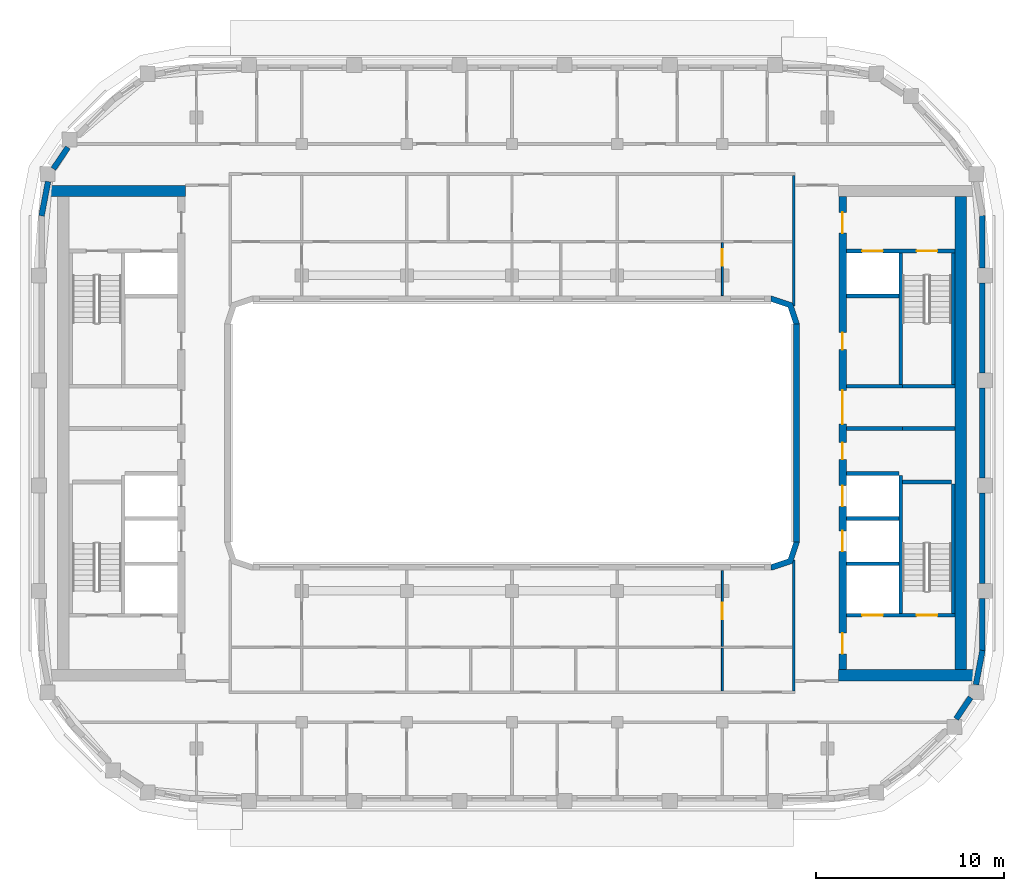
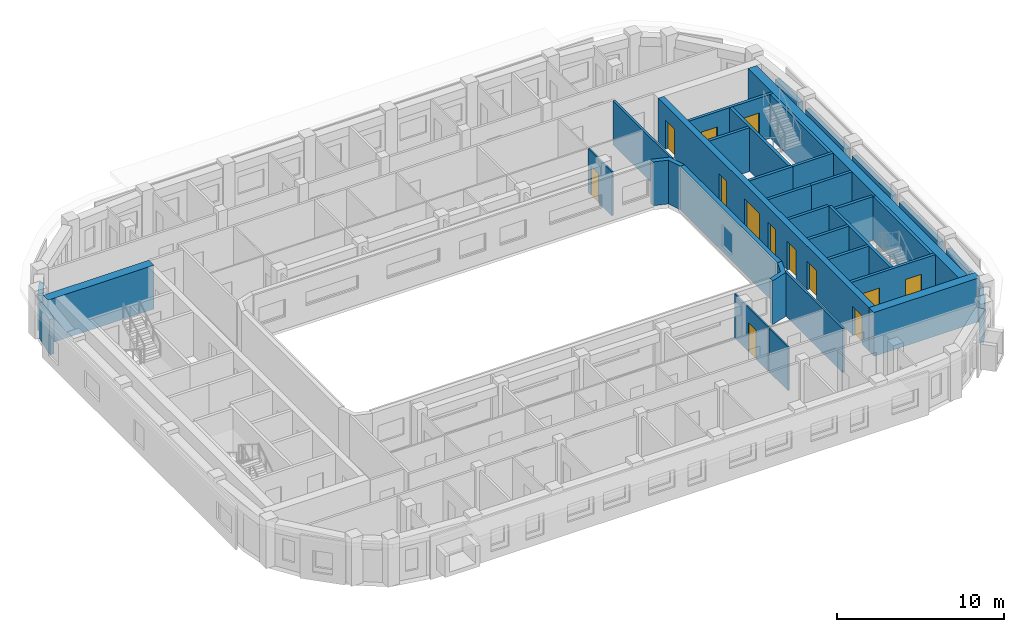
# One storey, part 6 of 16: 36 walls, 13 doors, 13 openings.
"""IFC4 building model written with IfcOpenShell, lengths in metres."""

from ifc_helpers import new_model, si_unit, direction, frame, frame_2d, origin, place, context, subcontext, project, spatial, polyline, rectangle, outline, extrude, material, layer, layer_set, type_object, element, fill, save


model = new_model("IFC4")

# Units and contexts
model_context = context("Model", 3, precision=1e-05, world=origin(), true_north=direction((0.0, 1.0)))
body_context = subcontext(model_context, "Body", "Model", "MODEL_VIEW")
ifc_project = project(units=[si_unit("LENGTHUNIT", "METRE"), si_unit("AREAUNIT", "SQUARE_METRE"), si_unit("VOLUMEUNIT", "CUBIC_METRE"), si_unit("PLANEANGLEUNIT", "RADIAN"), si_unit("MASSUNIT", "GRAM", prefix="KILO")], contexts=[model_context])

# Site, building, storey
site_placement = place(None, origin())
site = spatial("IfcSite", under=ifc_project, at=site_placement, CompositionType="ELEMENT")
building_placement = place(site_placement, origin())
building = spatial("IfcBuilding", under=site, at=building_placement, Name="Kiln Ring Residences", CompositionType="ELEMENT")
storey_placement = place(building_placement, frame((0.0, 0.0, 255.699951171875)))
storey = spatial("IfcBuildingStorey", under=building, at=storey_placement, Name="L66", CompositionType="ELEMENT", Elevation=255.699951171875)

# Walls
ifc_material_1 = material(Name="Gypsum board on steel studs", Category="steel")
ifc_layer_1 = layer(ifc_material_1, 0.199951171875)
ifc_layer_set_1 = layer_set([ifc_layer_1], Name="CORE-PARTITION-200")
wall_type_1 = type_object("IfcWallType", Name="CORE-PARTITION-200", PredefinedType="PARTITIONING", material=ifc_layer_set_1)
wall_1_placement = place(storey_placement, frame((20.800048828125, 0.25, 0.0), z_axis=(0.0, 0.0, 1.0), x_axis=(1.0, 0.0, 0.0)))
element("IfcWall", 1, at=wall_1_placement, inside=storey, type_object=wall_type_1, Name="Core partition east L66 1", PredefinedType="PARTITIONING", context=body_context, shape_type="SweptSolid", body=[
    extrude(rectangle(XDim=2.800048828125, YDim=0.199951171875, at=frame_2d((1.39990234375, 0.0))), origin(), (0.0, 0.0, 1.0), 3.199951171875),
])
ifc_material_2 = material(Name="Gypsum shaft wall system")
ifc_layer_2 = layer(ifc_material_2, 0.199951171875)
ifc_layer_set_2 = layer_set([ifc_layer_2], Name="CORE-SHAFT-WALL-200")
wall_type_2 = type_object("IfcWallType", Name="CORE-SHAFT-WALL-200", PredefinedType="PARTITIONING", material=ifc_layer_set_2)
for number, where, z_axis, x_axis, name in (
    (2, (17.800048828125, -6.949951171875, 0.0), (0.0, 0.0, 1.0), (1.0, 0.0, 0.0), "Core partition east L66 2"),
    (3, (17.800048828125, -4.550048828125, 0.0), (0.0, 0.0, 1.0), (1.0, 0.0, 0.0), "Core partition east L66 3"),
    (4, (17.800048828125, -2.14990234375, 0.0), (0.0, 0.0, 1.0), (1.0, 0.0, 0.0), "Core partition east L66 4"),
):
    element("IfcWall", number, at=place(storey_placement, frame(where, z_axis=z_axis, x_axis=x_axis)), inside=storey, type_object=wall_type_2, Name=name, PredefinedType="PARTITIONING", context=body_context, shape_type="SweptSolid", body=[
        extrude(rectangle(XDim=2.800048828125, YDim=0.199951171875, at=frame_2d((1.39990234375, 0.0))), origin(), (0.0, 0.0, 1.0), 3.199951171875),
    ])
for number, where, z_axis, x_axis, name in (
    (5, (17.800048828125, 0.25, 0.0), (0.0, 0.0, 1.0), (1.0, 0.0, 0.0), "Core partition east L66 5"),
    (6, (17.800048828125, 2.5, 0.0), (0.0, 0.0, 1.0), (1.0, 0.0, 0.0), "Core partition east L66 6"),
):
    element("IfcWall", number, at=place(storey_placement, frame(where, z_axis=z_axis, x_axis=x_axis)), inside=storey, type_object=wall_type_2, Name=name, PredefinedType="PARTITIONING", context=body_context, shape_type="SweptSolid", body=[
        extrude(rectangle(XDim=3.0, YDim=0.199951171875, at=frame_2d((1.5, 0.0))), origin(), (0.0, 0.0, 1.0), 3.199951171875),
    ])
wall_2_placement = place(storey_placement, frame((17.800048828125, 7.300048828125, 0.0), z_axis=(0.0, 0.0, 1.0), x_axis=(1.0, 0.0, 0.0)))
element("IfcWall", 7, at=wall_2_placement, inside=storey, type_object=wall_type_2, Name="Core partition east L66 7", PredefinedType="PARTITIONING", context=body_context, shape_type="SweptSolid", body=[
    extrude(rectangle(XDim=2.800048828125, YDim=0.199951171875, at=frame_2d((1.39990234375, 0.0))), origin(), (0.0, 0.0, 1.0), 3.199951171875),
])
ifc_material_3 = material(Name="Concrete C40/50", Category="concrete")
ifc_layer_3 = layer(ifc_material_3, 0.199951171875)
ifc_layer_set_3 = layer_set([ifc_layer_3], Name="CORE-WALL-RC200")
wall_type_3 = type_object("IfcWallType", Name="CORE-WALL-RC200", PredefinedType="SHEAR", material=ifc_layer_set_3)
wall_3_placement = place(storey_placement, frame((20.699951171875, 2.60009765625, 0.0), z_axis=(0.0, 0.0, 1.0), x_axis=(0.0, 1.0, 0.0)))
element("IfcWall", 8, at=wall_3_placement, inside=storey, type_object=wall_type_3, Name="Core wall east L66 1", PredefinedType="SHEAR", context=body_context, shape_type="SweptSolid", body=[
    extrude(rectangle(XDim=7.0, YDim=0.199951171875, at=frame_2d((3.5, 0.0))), origin(), (0.0, 0.0, 1.0), 3.199951171875),
])
wall_4_placement = place(storey_placement, frame((20.699951171875, -9.60009765625, 0.0), z_axis=(0.0, 0.0, 1.0), x_axis=(0.0, 1.0, 0.0)))
element("IfcWall", 9, at=wall_4_placement, inside=storey, type_object=wall_type_3, Name="Core wall east L66 2", PredefinedType="SHEAR", context=body_context, shape_type="SweptSolid", body=[
    extrude(rectangle(XDim=7.35009765625, YDim=0.199951171875, at=frame_2d((3.675048828125, 0.0))), origin(), (0.0, 0.0, 1.0), 3.199951171875),
])
wall_5_placement = place(storey_placement, frame((20.800048828125, 2.5, 0.0), z_axis=(0.0, 0.0, 1.0), x_axis=(1.0, 0.0, 0.0)))
element("IfcWall", 10, at=wall_5_placement, inside=storey, type_object=wall_type_3, Name="Core wall east L66 3", PredefinedType="SHEAR", context=body_context, shape_type="SweptSolid", body=[
    extrude(rectangle(XDim=2.800048828125, YDim=0.199951171875, at=frame_2d((1.39990234375, 0.0))), origin(), (0.0, 0.0, 1.0), 3.199951171875),
])

# Wall, openings, doors
wall_6_placement = place(storey_placement, frame((17.800048828125, -9.699951171875, 0.0), z_axis=(0.0, 0.0, 1.0), x_axis=(1.0, 0.0, 0.0)))
wall_6 = element("IfcWall", 11, at=wall_6_placement, inside=storey, type_object=wall_type_3, Name="Core wall east L66 8", PredefinedType="SHEAR", context=body_context, shape_type="SweptSolid", body=[
    extrude(rectangle(XDim=5.800048828125, YDim=0.199951171875, at=frame_2d((2.89990234375, 0.0))), origin(), (0.0, 0.0, 1.0), 3.199951171875),
])
opening_1_placement = place(wall_6_placement, frame((0.85009765625, 0.0, 0.0)))
opening_1 = element("IfcOpeningElement", 12, at=opening_1_placement, cuts=wall_6, Name="Opening L66-CE01", PredefinedType="OPENING", context=body_context, shape_type="SweptSolid", body=[
    extrude(rectangle(XDim=1.10009765625, YDim=2.10009765625, at=frame_2d((0.550048828125, 1.050048828125))), frame((0.0, 0.10986328125, 0.0), z_axis=(0.0, -1.0, 0.0), x_axis=(1.0, 0.0, 0.0)), (0.0, 0.0, 1.0), 0.219970703125),
])
opening_2_placement = place(wall_6_placement, frame((3.75, 0.0, 0.0)))
opening_2 = element("IfcOpeningElement", 13, at=opening_2_placement, cuts=wall_6, Name="Opening L66-CE10", PredefinedType="OPENING", context=body_context, shape_type="SweptSolid", body=[
    extrude(rectangle(XDim=1.10009765625, YDim=2.10009765625, at=frame_2d((0.550048828125, 1.050048828125))), frame((0.0, 0.10986328125, 0.0), z_axis=(0.0, -1.0, 0.0), x_axis=(1.0, 0.0, 0.0)), (0.0, 0.0, 1.0), 0.219970703125),
])
ifc_material_4 = material(Name="Steel door leaf", Category="steel")
door_type_1 = type_object("IfcDoorType", Name="CORE-DOOR-LD", OperationType="DOUBLE_DOOR_SLIDING", PredefinedType="DOOR", material=ifc_material_4)
door_1_placement = place(opening_1_placement, origin())
door_1 = element("IfcDoor", 14, at=door_1_placement, inside=storey, type_object=door_type_1, Name="LD E-SV L66-CE01", OperationType="DOUBLE_DOOR_SLIDING", OverallHeight=2.10009765625, OverallWidth=1.10009765625, PredefinedType="DOOR", context=body_context, shape_type="SweptSolid", body=[
    extrude(rectangle(XDim=1.10009765625, YDim=2.10009765625, at=frame_2d((0.550048828125, 1.050048828125))), frame((0.0, 0.02490234375, 0.0), z_axis=(0.0, -1.0, 0.0), x_axis=(1.0, 0.0, 0.0)), (0.0, 0.0, 1.0), 0.050048828125),
])
fill(opening_1, door_1)
ifc_material_5 = material(Name="Steel door leaf", Category="steel")
door_type_2 = type_object("IfcDoorType", Name="CORE-DOOR-STAIR", OperationType="SINGLE_SWING_LEFT", PredefinedType="DOOR", material=ifc_material_5)
door_2_placement = place(opening_2_placement, origin())
door_2 = element("IfcDoor", 15, at=door_2_placement, inside=storey, type_object=door_type_2, Name="Stair E-STS L66-CE10", OperationType="SINGLE_SWING_RIGHT", OverallHeight=2.10009765625, OverallWidth=1.10009765625, PredefinedType="DOOR", context=body_context, shape_type="SweptSolid", body=[
    extrude(rectangle(XDim=1.10009765625, YDim=2.10009765625, at=frame_2d((0.550048828125, 1.050048828125))), frame((0.0, 0.02490234375, 0.0), z_axis=(0.0, -1.0, 0.0), x_axis=(1.0, 0.0, 0.0)), (0.0, 0.0, 1.0), 0.050048828125),
])
fill(opening_2, door_2)

wall_7_placement = place(storey_placement, frame((17.800048828125, 9.699951171875, 0.0), z_axis=(0.0, 0.0, 1.0), x_axis=(1.0, 0.0, 0.0)))
wall_7 = element("IfcWall", 16, at=wall_7_placement, inside=storey, type_object=wall_type_3, Name="Core wall east L66 9", PredefinedType="SHEAR", context=body_context, shape_type="SweptSolid", body=[
    extrude(rectangle(XDim=5.800048828125, YDim=0.199951171875, at=frame_2d((2.89990234375, 0.0))), origin(), (0.0, 0.0, 1.0), 3.199951171875),
])
opening_3_placement = place(wall_7_placement, frame((0.85009765625, 0.0, 0.0)))
opening_3 = element("IfcOpeningElement", 17, at=opening_3_placement, cuts=wall_7, Name="Opening L66-CE06", PredefinedType="OPENING", context=body_context, shape_type="SweptSolid", body=[
    extrude(rectangle(XDim=1.10009765625, YDim=2.10009765625, at=frame_2d((0.550048828125, 1.050048828125))), frame((0.0, 0.10986328125, 0.0), z_axis=(0.0, -1.0, 0.0), x_axis=(1.0, 0.0, 0.0)), (0.0, 0.0, 1.0), 0.219970703125),
])
opening_4_placement = place(wall_7_placement, frame((3.75, 0.0, 0.0)))
opening_4 = element("IfcOpeningElement", 18, at=opening_4_placement, cuts=wall_7, Name="Opening L66-CE09", PredefinedType="OPENING", context=body_context, shape_type="SweptSolid", body=[
    extrude(rectangle(XDim=1.10009765625, YDim=2.10009765625, at=frame_2d((0.550048828125, 1.050048828125))), frame((0.0, 0.10986328125, 0.0), z_axis=(0.0, -1.0, 0.0), x_axis=(1.0, 0.0, 0.0)), (0.0, 0.0, 1.0), 0.219970703125),
])
door_3_placement = place(opening_3_placement, origin())
door_3 = element("IfcDoor", 19, at=door_3_placement, inside=storey, type_object=door_type_1, Name="LD E-FF L66-CE06", OperationType="DOUBLE_DOOR_SLIDING", OverallHeight=2.10009765625, OverallWidth=1.10009765625, PredefinedType="DOOR", context=body_context, shape_type="SweptSolid", body=[
    extrude(rectangle(XDim=1.10009765625, YDim=2.10009765625, at=frame_2d((0.550048828125, 1.050048828125))), frame((0.0, 0.02490234375, 0.0), z_axis=(0.0, -1.0, 0.0), x_axis=(1.0, 0.0, 0.0)), (0.0, 0.0, 1.0), 0.050048828125),
])
fill(opening_3, door_3)
door_4_placement = place(opening_4_placement, origin())
door_4 = element("IfcDoor", 20, at=door_4_placement, inside=storey, type_object=door_type_2, Name="Stair E-STN L66-CE09", OperationType="SINGLE_SWING_RIGHT", OverallHeight=2.10009765625, OverallWidth=1.10009765625, PredefinedType="DOOR", context=body_context, shape_type="SweptSolid", body=[
    extrude(rectangle(XDim=1.10009765625, YDim=2.10009765625, at=frame_2d((0.550048828125, 1.050048828125))), frame((0.0, 0.02490234375, 0.0), z_axis=(0.0, -1.0, 0.0), x_axis=(1.0, 0.0, 0.0)), (0.0, 0.0, 1.0), 0.050048828125),
])
fill(opening_4, door_4)

# Walls
wall_8_placement = place(storey_placement, frame((23.5, 2.60009765625, 0.0), z_axis=(0.0, 0.0, 1.0), x_axis=(0.0, 1.0, 0.0)))
element("IfcWall", 21, at=wall_8_placement, inside=storey, type_object=wall_type_3, Name="Core wall east L66 10", PredefinedType="SHEAR", context=body_context, shape_type="SweptSolid", body=[
    extrude(rectangle(XDim=7.0, YDim=0.199951171875, at=frame_2d((3.5, 0.0))), origin(), (0.0, 0.0, 1.0), 3.199951171875),
])
wall_9_placement = place(storey_placement, frame((23.5, -9.60009765625, 0.0), z_axis=(0.0, 0.0, 1.0), x_axis=(0.0, 1.0, 0.0)))
element("IfcWall", 22, at=wall_9_placement, inside=storey, type_object=wall_type_3, Name="Core wall east L66 11", PredefinedType="SHEAR", context=body_context, shape_type="SweptSolid", body=[
    extrude(rectangle(XDim=6.900146484375, YDim=0.199951171875, at=frame_2d((3.4501953125, 0.0))), origin(), (0.0, 0.0, 1.0), 3.199951171875),
])
wall_10_placement = place(storey_placement, frame((20.800048828125, -2.60009765625, 0.0), z_axis=(0.0, 0.0, 1.0), x_axis=(1.0, 0.0, 0.0)))
element("IfcWall", 23, at=wall_10_placement, inside=storey, type_object=wall_type_3, Name="Core wall east L66 12", PredefinedType="SHEAR", context=body_context, shape_type="SweptSolid", body=[
    extrude(rectangle(XDim=2.599853515625, YDim=0.199951171875, at=frame_2d((1.2998046875, 0.0))), origin(), (0.0, 0.0, 1.0), 3.199951171875),
])

# Wall, openings, doors
ifc_material_6 = material(Name="Concrete C60/75", Category="concrete")
ifc_layer_4 = layer(ifc_material_6, 0.39990234375)
ifc_layer_set_4 = layer_set([ifc_layer_4], Name="CORE-WALL-RC400")
wall_type_4 = type_object("IfcWallType", Name="CORE-WALL-RC400", PredefinedType="SHEAR", material=ifc_layer_set_4)
wall_11_placement = place(storey_placement, frame((17.60009765625, -12.60009765625, 0.0), z_axis=(0.0, 0.0, 1.0), x_axis=(0.0, 1.0, 0.0)))
wall_11 = element("IfcWall", 24, at=wall_11_placement, inside=storey, type_object=wall_type_4, Name="Core wall east L66 6", PredefinedType="SHEAR", context=body_context, shape_type="SweptSolid", body=[
    extrude(rectangle(XDim=25.2001953125, YDim=0.39990234375, at=frame_2d((12.60009765625, 0.0))), origin(), (0.0, 0.0, 1.0), 3.199951171875),
])
opening_5_placement = place(wall_11_placement, frame((6.300048828125, 0.0, 0.0)))
opening_5 = element("IfcOpeningElement", 25, at=opening_5_placement, cuts=wall_11, Name="Opening L66-CE02", PredefinedType="OPENING", context=body_context, shape_type="SweptSolid", body=[
    extrude(rectangle(XDim=1.10009765625, YDim=2.10009765625, at=frame_2d((0.550048828125, 1.050048828125))), frame((0.0, 0.2099609375, 0.0), z_axis=(0.0, -1.0, 0.0), x_axis=(1.0, 0.0, 0.0)), (0.0, 0.0, 1.0), 0.419921875),
])
opening_6_placement = place(wall_11_placement, frame((8.699951171875, 0.0, 0.0)))
opening_6 = element("IfcOpeningElement", 26, at=opening_6_placement, cuts=wall_11, Name="Opening L66-CE03", PredefinedType="OPENING", context=body_context, shape_type="SweptSolid", body=[
    extrude(rectangle(XDim=1.10009765625, YDim=2.10009765625, at=frame_2d((0.550048828125, 1.050048828125))), frame((0.0, 0.2099609375, 0.0), z_axis=(0.0, -1.0, 0.0), x_axis=(1.0, 0.0, 0.0)), (0.0, 0.0, 1.0), 0.419921875),
])
opening_7_placement = place(wall_11_placement, frame((11.199951171875, 0.0, 0.0)))
opening_7 = element("IfcOpeningElement", 27, at=opening_7_placement, cuts=wall_11, Name="Opening L66-CE04", PredefinedType="OPENING", context=body_context, shape_type="SweptSolid", body=[
    extrude(rectangle(XDim=0.89990234375, YDim=2.10009765625, at=frame_2d((0.449951171875, 1.050048828125))), frame((0.0, 0.2099609375, 0.0), z_axis=(0.0, -1.0, 0.0), x_axis=(1.0, 0.0, 0.0)), (0.0, 0.0, 1.0), 0.419921875),
])
opening_8_placement = place(wall_11_placement, frame((17.050048828125, 0.0, 0.0)))
opening_8 = element("IfcOpeningElement", 28, at=opening_8_placement, cuts=wall_11, Name="Opening L66-CE05", PredefinedType="OPENING", context=body_context, shape_type="SweptSolid", body=[
    extrude(rectangle(XDim=0.89990234375, YDim=2.10009765625, at=frame_2d((0.449951171875, 1.050048828125))), frame((0.0, 0.2099609375, 0.0), z_axis=(0.0, -1.0, 0.0), x_axis=(1.0, 0.0, 0.0)), (0.0, 0.0, 1.0), 0.419921875),
])
opening_9_placement = place(wall_11_placement, frame((23.25, 0.0, 0.0)))
opening_9 = element("IfcOpeningElement", 29, at=opening_9_placement, cuts=wall_11, Name="Opening L66-CE07", PredefinedType="OPENING", context=body_context, shape_type="SweptSolid", body=[
    extrude(rectangle(XDim=1.10009765625, YDim=2.10009765625, at=frame_2d((0.550048828125, 1.050048828125))), frame((0.0, 0.2099609375, 0.0), z_axis=(0.0, -1.0, 0.0), x_axis=(1.0, 0.0, 0.0)), (0.0, 0.0, 1.0), 0.419921875),
])
opening_10_placement = place(wall_11_placement, frame((0.85009765625, 0.0, 0.0)))
opening_10 = element("IfcOpeningElement", 30, at=opening_10_placement, cuts=wall_11, Name="Opening L66-CE08", PredefinedType="OPENING", context=body_context, shape_type="SweptSolid", body=[
    extrude(rectangle(XDim=1.10009765625, YDim=2.10009765625, at=frame_2d((0.550048828125, 1.050048828125))), frame((0.0, 0.2099609375, 0.0), z_axis=(0.0, -1.0, 0.0), x_axis=(1.0, 0.0, 0.0)), (0.0, 0.0, 1.0), 0.419921875),
])
opening_11_placement = place(wall_11_placement, frame((13.074951171875, 0.0, 0.0)))
opening_11 = element("IfcOpeningElement", 31, at=opening_11_placement, cuts=wall_11, Name="Opening L66-CE11", PredefinedType="OPENING", context=body_context, shape_type="SweptSolid", body=[
    extrude(rectangle(XDim=1.800048828125, YDim=2.10009765625, at=frame_2d((0.89990234375, 1.050048828125))), frame((0.0, 0.2099609375, 0.0), z_axis=(0.0, -1.0, 0.0), x_axis=(1.0, 0.0, 0.0)), (0.0, 0.0, 1.0), 0.419921875),
])
door_5_placement = place(opening_5_placement, origin())
door_5 = element("IfcDoor", 32, at=door_5_placement, inside=storey, type_object=door_type_1, Name="LD E-H1 L66-CE02", OperationType="DOUBLE_DOOR_SLIDING", OverallHeight=2.10009765625, OverallWidth=1.10009765625, PredefinedType="DOOR", context=body_context, shape_type="SweptSolid", body=[
    extrude(rectangle(XDim=1.10009765625, YDim=2.10009765625, at=frame_2d((0.550048828125, 1.050048828125))), frame((0.0, 0.02490234375, 0.0), z_axis=(0.0, -1.0, 0.0), x_axis=(1.0, 0.0, 0.0)), (0.0, 0.0, 1.0), 0.050048828125),
])
fill(opening_5, door_5)
door_6_placement = place(opening_6_placement, origin())
door_6 = element("IfcDoor", 33, at=door_6_placement, inside=storey, type_object=door_type_1, Name="LD E-H2 L66-CE03", OperationType="DOUBLE_DOOR_SLIDING", OverallHeight=2.10009765625, OverallWidth=1.10009765625, PredefinedType="DOOR", context=body_context, shape_type="SweptSolid", body=[
    extrude(rectangle(XDim=1.10009765625, YDim=2.10009765625, at=frame_2d((0.550048828125, 1.050048828125))), frame((0.0, 0.02490234375, 0.0), z_axis=(0.0, -1.0, 0.0), x_axis=(1.0, 0.0, 0.0)), (0.0, 0.0, 1.0), 0.050048828125),
])
fill(opening_6, door_6)
ifc_material_7 = material(Name="Steel door leaf", Category="steel")
door_type_3 = type_object("IfcDoorType", Name="CORE-DOOR-LOBBY", OperationType="SINGLE_SWING_LEFT", PredefinedType="DOOR", material=ifc_material_7)
door_7_placement = place(opening_9_placement, origin())
door_7 = element("IfcDoor", 34, at=door_7_placement, inside=storey, type_object=door_type_3, Name="FFL L66-CE07", OperationType="SINGLE_SWING_LEFT", OverallHeight=2.10009765625, OverallWidth=1.10009765625, PredefinedType="DOOR", context=body_context, shape_type="SweptSolid", body=[
    extrude(rectangle(XDim=1.10009765625, YDim=2.10009765625, at=frame_2d((0.550048828125, 1.050048828125))), frame((0.0, 0.02490234375, 0.0), z_axis=(0.0, -1.0, 0.0), x_axis=(1.0, 0.0, 0.0)), (0.0, 0.0, 1.0), 0.050048828125),
])
fill(opening_9, door_7)
door_8_placement = place(opening_10_placement, origin())
door_8 = element("IfcDoor", 35, at=door_8_placement, inside=storey, type_object=door_type_3, Name="SVL L66-CE08", OperationType="SINGLE_SWING_RIGHT", OverallHeight=2.10009765625, OverallWidth=1.10009765625, PredefinedType="DOOR", context=body_context, shape_type="SweptSolid", body=[
    extrude(rectangle(XDim=1.10009765625, YDim=2.10009765625, at=frame_2d((0.550048828125, 1.050048828125))), frame((0.0, 0.02490234375, 0.0), z_axis=(0.0, -1.0, 0.0), x_axis=(1.0, 0.0, 0.0)), (0.0, 0.0, 1.0), 0.050048828125),
])
fill(opening_10, door_8)
ifc_material_8 = material(Name="Steel door leaf", Category="steel")
door_type_4 = type_object("IfcDoorType", Name="CORE-DOOR-PASS", OperationType="DOUBLE_DOOR_SINGLE_SWING", PredefinedType="DOOR", material=ifc_material_8)
door_9_placement = place(opening_11_placement, origin())
door_9 = element("IfcDoor", 36, at=door_9_placement, inside=storey, type_object=door_type_4, Name="Core passage L66-CE11", OperationType="DOUBLE_DOOR_SINGLE_SWING", OverallHeight=2.10009765625, OverallWidth=1.800048828125, PredefinedType="DOOR", context=body_context, shape_type="SweptSolid", body=[
    extrude(rectangle(XDim=1.800048828125, YDim=2.10009765625, at=frame_2d((0.89990234375, 1.050048828125))), frame((0.0, 0.02490234375, 0.0), z_axis=(0.0, -1.0, 0.0), x_axis=(1.0, 0.0, 0.0)), (0.0, 0.0, 1.0), 0.050048828125),
])
fill(opening_11, door_9)
ifc_material_9 = material(Name="Steel door leaf", Category="steel")
door_type_5 = type_object("IfcDoorType", Name="CORE-DOOR-ROOM", OperationType="SINGLE_SWING_LEFT", PredefinedType="DOOR", material=ifc_material_9)
door_10_placement = place(opening_7_placement, origin())
door_10 = element("IfcDoor", 37, at=door_10_placement, inside=storey, type_object=door_type_5, Name="Staff room L66-CE04", OperationType="SINGLE_SWING_LEFT", OverallHeight=2.10009765625, OverallWidth=0.89990234375, PredefinedType="DOOR", context=body_context, shape_type="SweptSolid", body=[
    extrude(rectangle(XDim=0.89990234375, YDim=2.10009765625, at=frame_2d((0.449951171875, 1.050048828125))), frame((0.0, 0.02490234375, 0.0), z_axis=(0.0, -1.0, 0.0), x_axis=(1.0, 0.0, 0.0)), (0.0, 0.0, 1.0), 0.050048828125),
])
fill(opening_7, door_10)
door_11_placement = place(opening_8_placement, origin())
door_11 = element("IfcDoor", 38, at=door_11_placement, inside=storey, type_object=door_type_5, Name="Locker store L66-CE05", OperationType="SINGLE_SWING_RIGHT", OverallHeight=2.10009765625, OverallWidth=0.89990234375, PredefinedType="DOOR", context=body_context, shape_type="SweptSolid", body=[
    extrude(rectangle(XDim=0.89990234375, YDim=2.10009765625, at=frame_2d((0.449951171875, 1.050048828125))), frame((0.0, 0.02490234375, 0.0), z_axis=(0.0, -1.0, 0.0), x_axis=(1.0, 0.0, 0.0)), (0.0, 0.0, 1.0), 0.050048828125),
])
fill(opening_8, door_11)

# Walls
ifc_material_10 = material(Name="Concrete C60/75", Category="concrete")
ifc_layer_5 = layer(ifc_material_10, 0.60009765625)
ifc_layer_set_5 = layer_set([ifc_layer_5], Name="CORE-WALL-RC600")
wall_type_5 = type_object("IfcWallType", Name="CORE-WALL-RC600", PredefinedType="SHEAR", material=ifc_layer_set_5)
for number, where, z_axis, x_axis, name in (
    (39, (-17.39990234375, 12.89990234375, 0.0), (0.0, 0.0, 1.0), (-1.0, 0.0, 0.0), "Core wall west L66 4"),
    (40, (17.39990234375, -12.89990234375, 0.0), (0.0, 0.0, 1.0), (1.0, 0.0, 0.0), "Core wall east L66 5"),
):
    element("IfcWall", number, at=place(storey_placement, frame(where, z_axis=z_axis, x_axis=x_axis)), inside=storey, type_object=wall_type_5, Name=name, PredefinedType="SHEAR", context=body_context, shape_type="SweptSolid", body=[
        extrude(rectangle(XDim=7.320068359375, YDim=0.60009765625, at=frame_2d((3.66015625, 0.0))), origin(), (0.0, 0.0, 1.0), 3.199951171875),
    ])
wall_12_placement = place(storey_placement, frame((23.89990234375, -12.60009765625, 0.0), z_axis=(0.0, 0.0, 1.0), x_axis=(0.0, 1.0, 0.0)))
element("IfcWall", 41, at=wall_12_placement, inside=storey, type_object=wall_type_5, Name="Core wall east L66 7", PredefinedType="SHEAR", context=body_context, shape_type="SweptSolid", body=[
    extrude(rectangle(XDim=25.2001953125, YDim=0.60009765625, at=frame_2d((12.60009765625, 0.0))), origin(), (0.0, 0.0, 1.0), 3.199951171875),
])
ifc_material_11 = material(Name="Brick masonry, dark clay brick", Category="masonry")
ifc_layer_6 = layer(ifc_material_11, 0.300048828125)
ifc_layer_set_6 = layer_set([ifc_layer_6], Name="EW-300 BRICK WALL")
wall_type_6 = type_object("IfcWallType", Name="EW-300 BRICK WALL", PredefinedType="SOLIDWALL", material=ifc_layer_set_6)
wall_13_placement = place(storey_placement, frame((23.648193359375, -15.216552734375, 0.0), z_axis=(0.0, 0.0, 1.0), x_axis=(0.562043265151, 0.827107833416, 0.0)))
element("IfcWall", 42, at=wall_13_placement, inside=storey, type_object=wall_type_6, Name="Facade wall L66 14", PredefinedType="SOLIDWALL", context=body_context, shape_type="SweptSolid", body=[
    extrude(rectangle(XDim=1.376953125, YDim=0.300048828125, at=frame_2d((0.6884765625, 0.0))), origin(), (0.0, 0.0, 1.0), 2.550048828125),
])
wall_14_placement = place(storey_placement, frame((24.704833984375, -13.395263671875, 0.0), z_axis=(0.0, 0.0, 1.0), x_axis=(0.187408222942, 0.982282117303, 0.0)))
element("IfcWall", 43, at=wall_14_placement, inside=storey, type_object=wall_type_6, Name="Facade wall L66 15", PredefinedType="SOLIDWALL", context=body_context, shape_type="SweptSolid", body=[
    extrude(rectangle(XDim=1.8564453125, YDim=0.300048828125, at=frame_2d((0.92822265625, 0.0))), origin(), (0.0, 0.0, 1.0), 2.550048828125),
])
wall_15_placement = place(storey_placement, frame((25.050048828125, -11.60009765625, 0.0), z_axis=(0.0, 0.0, 1.0), x_axis=(0.0, 1.0, 0.0)))
element("IfcWall", 44, at=wall_15_placement, inside=storey, type_object=wall_type_6, Name="Facade wall L66 16", PredefinedType="SOLIDWALL", context=body_context, shape_type="SweptSolid", body=[
    extrude(rectangle(XDim=2.800048828125, YDim=0.300048828125, at=frame_2d((1.39990234375, 0.0))), origin(), (0.0, 0.0, 1.0), 2.550048828125),
])
wall_16_placement = place(storey_placement, frame((25.050048828125, -8.0, 0.0), z_axis=(0.0, 0.0, 1.0), x_axis=(0.0, 1.0, 0.0)))
element("IfcWall", 45, at=wall_16_placement, inside=storey, type_object=wall_type_6, Name="Facade wall L66 17", PredefinedType="SOLIDWALL", context=body_context, shape_type="SweptSolid", body=[
    extrude(rectangle(XDim=4.800048828125, YDim=0.300048828125, at=frame_2d((2.39990234375, 0.0))), origin(), (0.0, 0.0, 1.0), 2.550048828125),
])
wall_17_placement = place(storey_placement, frame((25.050048828125, -2.39990234375, 0.0), z_axis=(0.0, 0.0, 1.0), x_axis=(0.0, 1.0, 0.0)))
element("IfcWall", 46, at=wall_17_placement, inside=storey, type_object=wall_type_6, Name="Facade wall L66 18", PredefinedType="SOLIDWALL", context=body_context, shape_type="SweptSolid", body=[
    extrude(rectangle(XDim=4.7998046875, YDim=0.300048828125, at=frame_2d((2.39990234375, 0.0))), origin(), (0.0, 0.0, 1.0), 2.550048828125),
])
wall_18_placement = place(storey_placement, frame((25.050048828125, 3.199951171875, 0.0), z_axis=(0.0, 0.0, 1.0), x_axis=(0.0, 1.0, 0.0)))
element("IfcWall", 47, at=wall_18_placement, inside=storey, type_object=wall_type_6, Name="Facade wall L66 19", PredefinedType="SOLIDWALL", context=body_context, shape_type="SweptSolid", body=[
    extrude(rectangle(XDim=4.800048828125, YDim=0.300048828125, at=frame_2d((2.39990234375, 0.0))), origin(), (0.0, 0.0, 1.0), 2.550048828125),
])
wall_19_placement = place(storey_placement, frame((25.050048828125, 8.800048828125, 0.0), z_axis=(0.0, 0.0, 1.0), x_axis=(0.0, 1.0, 0.0)))
element("IfcWall", 48, at=wall_19_placement, inside=storey, type_object=wall_type_6, Name="Facade wall L66 20", PredefinedType="SOLIDWALL", context=body_context, shape_type="SweptSolid", body=[
    extrude(rectangle(XDim=2.800048828125, YDim=0.300048828125, at=frame_2d((1.39990234375, 0.0))), origin(), (0.0, 0.0, 1.0), 2.550048828125),
])
wall_20_placement = place(storey_placement, frame((-23.648193359375, 15.216552734375, 0.0), z_axis=(0.0, 0.0, 1.0), x_axis=(-0.562043265151, -0.827107833416, 0.0)))
element("IfcWall", 49, at=wall_20_placement, inside=storey, type_object=wall_type_6, Name="Facade wall L66 36", PredefinedType="SOLIDWALL", context=body_context, shape_type="SweptSolid", body=[
    extrude(rectangle(XDim=1.376953125, YDim=0.300048828125, at=frame_2d((0.6884765625, 0.0))), origin(), (0.0, 0.0, 1.0), 2.550048828125),
])
wall_21_placement = place(storey_placement, frame((-24.704833984375, 13.395263671875, 0.0), z_axis=(0.0, 0.0, 1.0), x_axis=(-0.187408222942, -0.982282117303, 0.0)))
element("IfcWall", 50, at=wall_21_placement, inside=storey, type_object=wall_type_6, Name="Facade wall L66 37", PredefinedType="SOLIDWALL", context=body_context, shape_type="SweptSolid", body=[
    extrude(rectangle(XDim=1.8564453125, YDim=0.300048828125, at=frame_2d((0.92822265625, 0.0))), origin(), (0.0, 0.0, 1.0), 2.550048828125),
])
wall_22_placement = place(storey_placement, frame((15.14990234375, 5.800048828125, 0.0), z_axis=(0.0, 0.0, 1.0), x_axis=(0.0, -1.0, 0.0)))
element("IfcWall", 51, at=wall_22_placement, inside=storey, type_object=wall_type_6, Name="Facade wall L66 47", PredefinedType="SOLIDWALL", context=body_context, shape_type="SweptSolid", body=[
    extrude(rectangle(XDim=11.60009765625, YDim=0.300048828125, at=frame_2d((5.800048828125, 0.0))), origin(), (0.0, 0.0, 1.0), 3.199951171875),
])
placement = place(storey_placement, origin())
element("IfcWall", 52, at=placement, inside=storey, type_object=wall_type_6, Name="Corner wall L66 2", PredefinedType="SOLIDWALL", context=body_context, shape_type="SweptSolid", body=[
    extrude(outline(polyline([(14.937255859375, 6.937255859375), (13.8486328125, 7.300048828125), (13.800048828125, 7.300048828125), (13.800048828125, 7.0), (14.699951171875, 6.699951171875), (15.0, 5.800048828125), (15.300048828125, 5.800048828125), (15.300048828125, 5.8486328125), (14.937255859375, 6.937255859375)])), origin(), (0.0, 0.0, 1.0), 3.199951171875),
])
element("IfcWall", 53, at=placement, inside=storey, type_object=wall_type_6, Name="Corner wall L66 3", PredefinedType="SOLIDWALL", context=body_context, shape_type="SweptSolid", body=[
    extrude(outline(polyline([(14.937255859375, -6.937255859375), (15.300048828125, -5.8486328125), (15.300048828125, -5.800048828125), (15.0, -5.800048828125), (14.699951171875, -6.699951171875), (13.800048828125, -7.0), (13.800048828125, -7.300048828125), (13.8486328125, -7.300048828125), (14.937255859375, -6.937255859375)])), origin(), (0.0, 0.0, 1.0), 3.199951171875),
])
ifc_material_12 = material(Name="Gypsum board on steel studs", Category="steel")
ifc_layer_7 = layer(ifc_material_12, 0.10009765625)
ifc_layer_set_7 = layer_set([ifc_layer_7], Name="PARTITION-100")
wall_type_7 = type_object("IfcWallType", Name="PARTITION-100", PredefinedType="PARTITIONING", material=ifc_layer_set_7)
wall_25_placement = place(storey_placement, frame((11.199951171875, -13.72509765625, 0.0), z_axis=(0.0, 0.0, 1.0), x_axis=(0.0, 1.0, 0.0)))
element("IfcWall", 54, at=wall_25_placement, inside=storey, type_object=wall_type_7, Name="Partition 048", PredefinedType="PARTITIONING", context=body_context, shape_type="SweptSolid", body=[
    extrude(rectangle(XDim=2.275146484375, YDim=0.10009765625, at=frame_2d((1.1376953125, 0.0))), origin(), (0.0, 0.0, 1.0), 3.199951171875),
])

# Wall, opening, door
wall_26_placement = place(storey_placement, frame((11.199951171875, -11.35009765625, 0.0), z_axis=(0.0, 0.0, 1.0), x_axis=(0.0, 1.0, 0.0)))
wall_26 = element("IfcWall", 55, at=wall_26_placement, inside=storey, type_object=wall_type_7, Name="Partition 049", PredefinedType="PARTITIONING", context=body_context, shape_type="SweptSolid", body=[
    extrude(rectangle(XDim=4.030029296875, YDim=0.10009765625, at=frame_2d((2.01513671875, 0.0))), origin(), (0.0, 0.0, 1.0), 3.199951171875),
])
opening_12_placement = place(wall_26_placement, frame((1.429931640625, 0.0, 0.0)))
opening_12 = element("IfcOpeningElement", 56, at=opening_12_placement, cuts=wall_26, Name="Opening L66-D044", PredefinedType="OPENING", context=body_context, shape_type="SweptSolid", body=[
    extrude(rectangle(XDim=0.89990234375, YDim=2.10009765625, at=frame_2d((0.449951171875, 1.050048828125))), frame((0.0, 0.06005859375, 0.0), z_axis=(0.0, -1.0, 0.0), x_axis=(1.0, 0.0, 0.0)), (0.0, 0.0, 1.0), 0.1201171875),
])
ifc_material_13 = material(Name="Timber door leaf", Category="wood")
door_type_6 = type_object("IfcDoorType", Name="FLAT-DOOR-900-PL", OperationType="SINGLE_SWING_LEFT", PredefinedType="DOOR", material=ifc_material_13)
door_12_placement = place(opening_12_placement, origin())
door_12 = element("IfcDoor", 57, at=door_12_placement, inside=storey, type_object=door_type_6, Name="Door L66-D044", OperationType="SINGLE_SWING_RIGHT", OverallHeight=2.10009765625, OverallWidth=0.89990234375, PredefinedType="DOOR", context=body_context, shape_type="SweptSolid", body=[
    extrude(rectangle(XDim=0.89990234375, YDim=2.10009765625, at=frame_2d((0.449951171875, 1.050048828125))), frame((0.0, 0.02490234375, 0.0), z_axis=(0.0, -1.0, 0.0), x_axis=(1.0, 0.0, 0.0)), (0.0, 0.0, 1.0), 0.050048828125),
])
fill(opening_12, door_12)

wall_27_placement = place(storey_placement, frame((11.199951171875, 7.320068359375, 0.0), z_axis=(0.0, 0.0, 1.0), x_axis=(0.0, 1.0, 0.0)))
wall_27 = element("IfcWall", 58, at=wall_27_placement, inside=storey, type_object=wall_type_7, Name="Partition 050", PredefinedType="PARTITIONING", context=body_context, shape_type="SweptSolid", body=[
    extrude(rectangle(XDim=2.829833984375, YDim=0.10009765625, at=frame_2d((1.4150390625, 0.0))), origin(), (0.0, 0.0, 1.0), 3.199951171875),
])
opening_13_placement = place(wall_27_placement, frame((1.580078125, 0.0, 0.0)))
opening_13 = element("IfcOpeningElement", 59, at=opening_13_placement, cuts=wall_27, Name="Opening L66-D018", PredefinedType="OPENING", context=body_context, shape_type="SweptSolid", body=[
    extrude(rectangle(XDim=0.89990234375, YDim=2.10009765625, at=frame_2d((0.449951171875, 1.050048828125))), frame((0.0, 0.06005859375, 0.0), z_axis=(0.0, -1.0, 0.0), x_axis=(1.0, 0.0, 0.0)), (0.0, 0.0, 1.0), 0.1201171875),
])
door_13_placement = place(opening_13_placement, origin())
door_13 = element("IfcDoor", 60, at=door_13_placement, inside=storey, type_object=door_type_6, Name="Door L66-D018", OperationType="SINGLE_SWING_LEFT", OverallHeight=2.10009765625, OverallWidth=0.89990234375, PredefinedType="DOOR", context=body_context, shape_type="SweptSolid", body=[
    extrude(rectangle(XDim=0.89990234375, YDim=2.10009765625, at=frame_2d((0.449951171875, 1.050048828125))), frame((0.0, 0.02490234375, 0.0), z_axis=(0.0, -1.0, 0.0), x_axis=(1.0, 0.0, 0.0)), (0.0, 0.0, 1.0), 0.050048828125),
])
fill(opening_13, door_13)

# Walls
ifc_material_14 = material(Name="Brick masonry partition", Category="masonry")
ifc_layer_8 = layer(ifc_material_14, 0.14990234375)
ifc_layer_set_8 = layer_set([ifc_layer_8], Name="PARTITION-150-ei60")
wall_type_8 = type_object("IfcWallType", Name="PARTITION-150-ei60", PredefinedType="PARTITIONING", material=ifc_layer_set_8)
for number, where, z_axis, x_axis, name in (
    (61, (15.0, -13.72509765625, 0.0), (0.0, 0.0, 1.0), (0.0, 1.0, 0.0), "Partition 056"),
    (62, (15.0, 6.768798828125, 0.0), (0.0, 0.0, 1.0), (0.0, 1.0, 0.0), "Partition 057"),
):
    element("IfcWall", number, at=place(storey_placement, frame(where, z_axis=z_axis, x_axis=x_axis)), inside=storey, type_object=wall_type_8, Name=name, PredefinedType="PARTITIONING", context=body_context, shape_type="SweptSolid", body=[
        extrude(rectangle(XDim=6.956298828125, YDim=0.14990234375, at=frame_2d((3.47802734375, 0.0))), origin(), (0.0, 0.0, 1.0), 3.199951171875),
    ])

save(model, "model.ifc")
